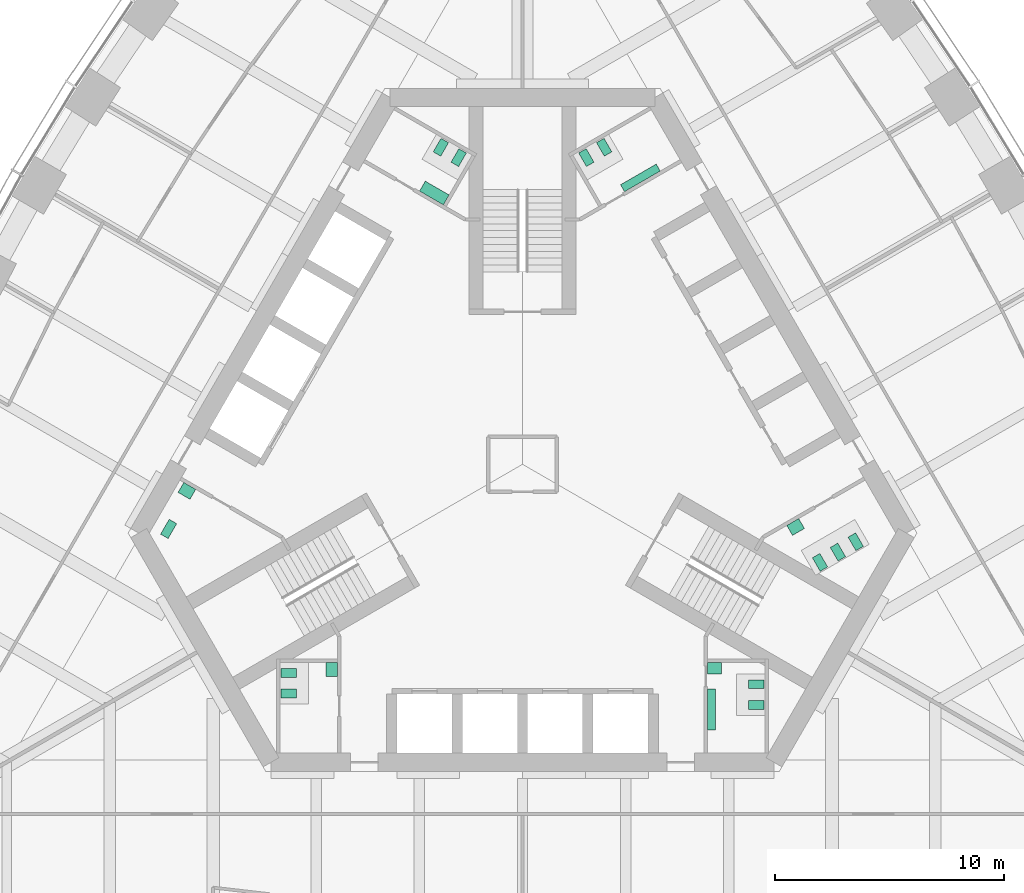
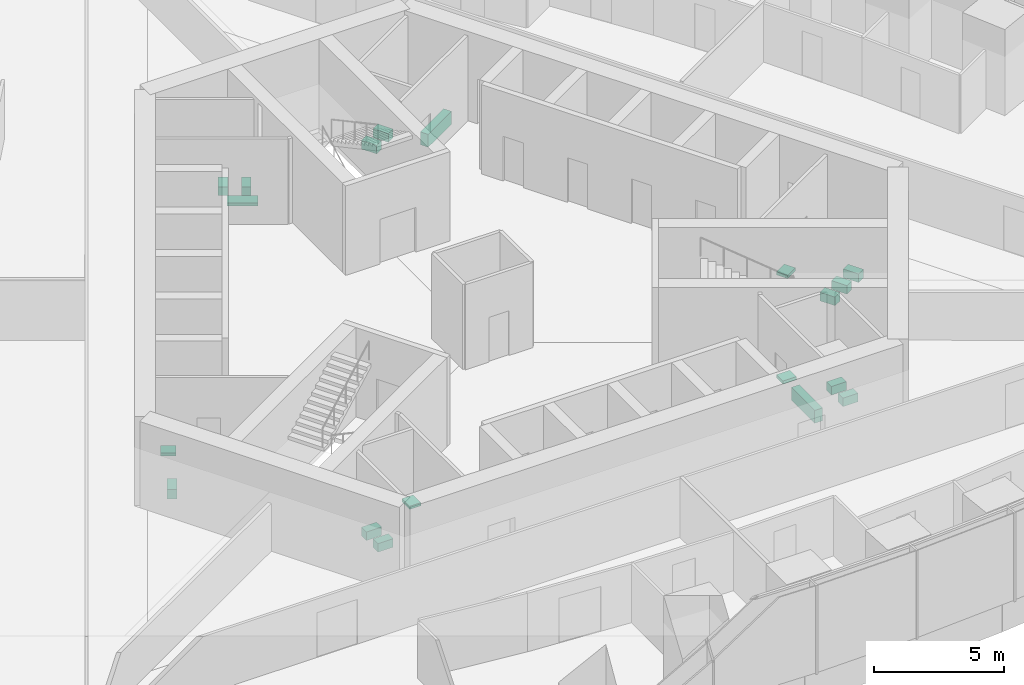
# One storey, part 18 of 19: 19 sanitary terminals.
"""IFC4 building model written with IfcOpenShell, lengths in metres."""

from ifc_helpers import new_model, si_unit, direction, frame, origin, place, context, subcontext, project, spatial, polyline, outline, extrude, material, type_object, element, save


model = new_model("IFC4")

# Units and contexts
model_context = context("Model", 3, precision=1e-05, world=origin(), true_north=direction((0.0, 1.0)))
body_context = subcontext(model_context, "Body", "Model", "MODEL_VIEW")
ifc_project = project(units=[si_unit("LENGTHUNIT", "METRE"), si_unit("AREAUNIT", "SQUARE_METRE"), si_unit("VOLUMEUNIT", "CUBIC_METRE"), si_unit("PLANEANGLEUNIT", "RADIAN"), si_unit("MASSUNIT", "GRAM", prefix="KILO")], contexts=[model_context])

# Site, building, storey
site_placement = place(None, origin())
site = spatial("IfcSite", under=ifc_project, at=site_placement, CompositionType="ELEMENT")
building_placement = place(site_placement, origin())
building = spatial("IfcBuilding", under=site, at=building_placement, Name="Trefoil Bronze Tower", CompositionType="ELEMENT")
storey_placement = place(building_placement, frame((0.0, 0.0, 193.89990234375)))
storey = spatial("IfcBuildingStorey", under=building, at=storey_placement, Name="L44", CompositionType="ELEMENT", Elevation=193.89990234375)

# Sanitary terminals
ifc_material_1 = material(Name="Vitreous china", Category="ceramic")
sanitary_terminal_type_1 = type_object("IfcSanitaryTerminalType", Name="Accessible WC pan", PredefinedType="TOILETPAN", material=ifc_material_1)
sanitary_terminal_1_placement = place(storey_placement, origin())
element("IfcSanitaryTerminal", 1, at=sanitary_terminal_1_placement, inside=storey, type_object=sanitary_terminal_type_1, Name="WC pan 1 Accessible WC L44", PredefinedType="TOILETPAN", context=body_context, shape_type="SweptSolid", body=[
    extrude(outline(polyline([(-15.085693359375, -2.589111328125), (-15.460693359375, -3.238525390625), (-15.789794921875, -3.048583984375), (-15.414794921875, -2.399169921875), (-15.085693359375, -2.589111328125)])), origin(), (0.0, 0.0, 1.0), 0.4501953125),
])
ifc_material_2 = material(Name="Vitreous china", Category="ceramic")
sanitary_terminal_type_2 = type_object("IfcSanitaryTerminalType", Name="Accessible basin", PredefinedType="WASHHANDBASIN", material=ifc_material_2)
sanitary_terminal_2_placement = place(storey_placement, frame((0.0, 0.0, 0.650146484375)))
element("IfcSanitaryTerminal", 2, at=sanitary_terminal_2_placement, inside=storey, type_object=sanitary_terminal_type_2, Name="Wash basin Accessible WC L44", PredefinedType="WASHHANDBASIN", context=body_context, shape_type="SweptSolid", body=[
    extrude(outline(polyline([(-14.256591796875, -1.09326171875), (-14.506591796875, -1.526123046875), (-15.026123046875, -1.22607421875), (-14.776123046875, -0.793212890625), (-14.256591796875, -1.09326171875)])), origin(), (0.0, 0.0, 1.0), 0.14990234375),
])
ifc_material_3 = material(Name="Vitreous china", Category="ceramic")
sanitary_terminal_type_3 = type_object("IfcSanitaryTerminalType", Name="Urinal range 3 urinals", PredefinedType="URINAL", material=ifc_material_3)
sanitary_terminal_3_placement = place(storey_placement, frame((0.0, 0.0, 0.400146484375)))
element("IfcSanitaryTerminal", 3, at=sanitary_terminal_3_placement, inside=storey, type_object=sanitary_terminal_type_3, Name="Urinal range WC (men) L44", PredefinedType="URINAL", context=body_context, shape_type="SweptSolid", body=[
    extrude(outline(polyline([(8.074951171875, -9.800048828125), (8.425048828125, -9.800048828125), (8.425048828125, -11.60009765625), (8.074951171875, -11.60009765625), (8.074951171875, -9.800048828125)])), origin(), (0.0, 0.0, 1.0), 0.599853515625),
])
sanitary_terminal_4_placement = place(storey_placement, frame((0.0, 0.0, 0.400146484375)))
element("IfcSanitaryTerminal", 4, at=sanitary_terminal_4_placement, inside=storey, type_object=sanitary_terminal_type_3, Name="Urinal range WC (men) L44", PredefinedType="URINAL", context=body_context, shape_type="SweptSolid", body=[
    extrude(outline(polyline([(4.449462890625, 11.89306640625), (4.274658203125, 12.1962890625), (5.83349609375, 13.09619140625), (6.00830078125, 12.793212890625), (4.449462890625, 11.89306640625)])), origin(), (0.0, 0.0, 1.0), 0.599853515625),
])
ifc_material_4 = material(Name="Solid surface vanity", Category="plastic")
sanitary_terminal_type_4 = type_object("IfcSanitaryTerminalType", Name="Vanity unit 1 basins", PredefinedType="WASHHANDBASIN", material=ifc_material_4)
sanitary_terminal_5_placement = place(storey_placement, frame((0.0, 0.0, 0.75)))
element("IfcSanitaryTerminal", 5, at=sanitary_terminal_5_placement, inside=storey, type_object=sanitary_terminal_type_4, Name="Vanity unit WC (men) L44", PredefinedType="WASHHANDBASIN", context=body_context, shape_type="SweptSolid", body=[
    extrude(outline(polyline([(8.074951171875, -8.64990234375), (8.675048828125, -8.64990234375), (8.675048828125, -9.14990234375), (8.074951171875, -9.14990234375), (8.074951171875, -8.64990234375)])), origin(), (0.0, 0.0, 1.0), 0.150146484375),
])
sanitary_terminal_6_placement = place(storey_placement, frame((0.0, 0.0, 0.75)))
element("IfcSanitaryTerminal", 6, at=sanitary_terminal_6_placement, inside=storey, type_object=sanitary_terminal_type_4, Name="Vanity unit WC (women) L44", PredefinedType="WASHHANDBASIN", context=body_context, shape_type="SweptSolid", body=[
    extrude(outline(polyline([(11.528564453125, -2.668212890625), (11.778564453125, -3.10107421875), (12.29833984375, -2.80126953125), (12.04833984375, -2.3681640625), (11.528564453125, -2.668212890625)])), origin(), (0.0, 0.0, 1.0), 0.150146484375),
])
sanitary_terminal_7_placement = place(storey_placement, frame((0.0, 0.0, 0.75)))
element("IfcSanitaryTerminal", 7, at=sanitary_terminal_7_placement, inside=storey, type_object=sanitary_terminal_type_4, Name="Vanity unit WC (women) L44", PredefinedType="WASHHANDBASIN", context=body_context, shape_type="SweptSolid", body=[
    extrude(outline(polyline([(-8.074951171875, -8.64990234375), (-8.574951171875, -8.64990234375), (-8.574951171875, -9.25), (-8.074951171875, -9.25), (-8.074951171875, -8.64990234375)])), origin(), (0.0, 0.0, 1.0), 0.150146484375),
])
ifc_material_5 = material(Name="Solid surface vanity", Category="plastic")
sanitary_terminal_type_5 = type_object("IfcSanitaryTerminalType", Name="Vanity unit 2 basins", PredefinedType="WASHHANDBASIN", material=ifc_material_5)
sanitary_terminal_8_placement = place(storey_placement, frame((0.0, 0.0, 0.75)))
element("IfcSanitaryTerminal", 8, at=sanitary_terminal_8_placement, inside=storey, type_object=sanitary_terminal_type_5, Name="Vanity unit WC (women) L44", PredefinedType="WASHHANDBASIN", context=body_context, shape_type="SweptSolid", body=[
    extrude(outline(polyline([(-3.45361328125, 11.318115234375), (-3.20361328125, 11.751220703125), (-4.242919921875, 12.35107421875), (-4.492919921875, 11.918212890625), (-3.45361328125, 11.318115234375)])), origin(), (0.0, 0.0, 1.0), 0.150146484375),
])
ifc_material_6 = material(Name="Vitreous china", Category="ceramic")
sanitary_terminal_type_6 = type_object("IfcSanitaryTerminalType", Name="WC pan", PredefinedType="TOILETPAN", material=ifc_material_6)
sanitary_terminal_9_placement = place(storey_placement, origin())
element("IfcSanitaryTerminal", 9, at=sanitary_terminal_9_placement, inside=storey, type_object=sanitary_terminal_type_6, Name="WC pan 1 WC (men) L44", PredefinedType="TOILETPAN", context=body_context, shape_type="SweptSolid", body=[
    extrude(outline(polyline([(9.85498046875, -9.409912109375), (10.534912109375, -9.409912109375), (10.534912109375, -9.7900390625), (9.85498046875, -9.7900390625), (9.85498046875, -9.409912109375)])), origin(), (0.0, 0.0, 1.0), 0.400146484375),
])
sanitary_terminal_10_placement = place(storey_placement, origin())
element("IfcSanitaryTerminal", 10, at=sanitary_terminal_10_placement, inside=storey, type_object=sanitary_terminal_type_6, Name="WC pan 2 WC (men) L44", PredefinedType="TOILETPAN", context=body_context, shape_type="SweptSolid", body=[
    extrude(outline(polyline([(9.85498046875, -10.31005859375), (10.534912109375, -10.31005859375), (10.534912109375, -10.68994140625), (9.85498046875, -10.68994140625), (9.85498046875, -10.31005859375)])), origin(), (0.0, 0.0, 1.0), 0.400146484375),
])
sanitary_terminal_11_placement = place(storey_placement, origin())
element("IfcSanitaryTerminal", 11, at=sanitary_terminal_11_placement, inside=storey, type_object=sanitary_terminal_type_6, Name="WC pan 1 WC (women) L44", PredefinedType="TOILETPAN", context=body_context, shape_type="SweptSolid", body=[
    extrude(outline(polyline([(12.643798828125, -4.07958984375), (12.98388671875, -4.66845703125), (13.31298828125, -4.478515625), (12.972900390625, -3.8896484375), (12.643798828125, -4.07958984375)])), origin(), (0.0, 0.0, 1.0), 0.400146484375),
])
sanitary_terminal_12_placement = place(storey_placement, origin())
element("IfcSanitaryTerminal", 12, at=sanitary_terminal_12_placement, inside=storey, type_object=sanitary_terminal_type_6, Name="WC pan 2 WC (women) L44", PredefinedType="TOILETPAN", context=body_context, shape_type="SweptSolid", body=[
    extrude(outline(polyline([(13.423095703125, -3.629638671875), (13.76318359375, -4.218505859375), (14.09228515625, -4.028564453125), (13.752197265625, -3.439697265625), (13.423095703125, -3.629638671875)])), origin(), (0.0, 0.0, 1.0), 0.400146484375),
])
sanitary_terminal_13_placement = place(storey_placement, origin())
element("IfcSanitaryTerminal", 13, at=sanitary_terminal_13_placement, inside=storey, type_object=sanitary_terminal_type_6, Name="WC pan 3 WC (women) L44", PredefinedType="TOILETPAN", context=body_context, shape_type="SweptSolid", body=[
    extrude(outline(polyline([(14.20263671875, -3.1796875), (14.542724609375, -3.7685546875), (14.871826171875, -3.57861328125), (14.53173828125, -2.98974609375), (14.20263671875, -3.1796875)])), origin(), (0.0, 0.0, 1.0), 0.400146484375),
])
sanitary_terminal_14_placement = place(storey_placement, origin())
element("IfcSanitaryTerminal", 14, at=sanitary_terminal_14_placement, inside=storey, type_object=sanitary_terminal_type_6, Name="WC pan 1 WC (men) L44", PredefinedType="TOILETPAN", context=body_context, shape_type="SweptSolid", body=[
    extrude(outline(polyline([(2.788818359375, 12.98974609375), (2.44873046875, 13.57861328125), (2.77783203125, 13.7685546875), (3.117919921875, 13.1796875), (2.788818359375, 12.98974609375)])), origin(), (0.0, 0.0, 1.0), 0.400146484375),
])
sanitary_terminal_15_placement = place(storey_placement, origin())
element("IfcSanitaryTerminal", 15, at=sanitary_terminal_15_placement, inside=storey, type_object=sanitary_terminal_type_6, Name="WC pan 2 WC (men) L44", PredefinedType="TOILETPAN", context=body_context, shape_type="SweptSolid", body=[
    extrude(outline(polyline([(3.568115234375, 13.439697265625), (3.228271484375, 14.028564453125), (3.557373046875, 14.218505859375), (3.897216796875, 13.629638671875), (3.568115234375, 13.439697265625)])), origin(), (0.0, 0.0, 1.0), 0.400146484375),
])
sanitary_terminal_16_placement = place(storey_placement, origin())
element("IfcSanitaryTerminal", 16, at=sanitary_terminal_16_placement, inside=storey, type_object=sanitary_terminal_type_6, Name="WC pan 1 WC (women) L44", PredefinedType="TOILETPAN", context=body_context, shape_type="SweptSolid", body=[
    extrude(outline(polyline([(-2.788818359375, 12.98974609375), (-2.44873046875, 13.57861328125), (-2.77783203125, 13.7685546875), (-3.117919921875, 13.1796875), (-2.788818359375, 12.98974609375)])), origin(), (0.0, 0.0, 1.0), 0.400146484375),
])
sanitary_terminal_17_placement = place(storey_placement, origin())
element("IfcSanitaryTerminal", 17, at=sanitary_terminal_17_placement, inside=storey, type_object=sanitary_terminal_type_6, Name="WC pan 2 WC (women) L44", PredefinedType="TOILETPAN", context=body_context, shape_type="SweptSolid", body=[
    extrude(outline(polyline([(-3.568115234375, 13.439697265625), (-3.228271484375, 14.028564453125), (-3.557373046875, 14.218505859375), (-3.897216796875, 13.629638671875), (-3.568115234375, 13.439697265625)])), origin(), (0.0, 0.0, 1.0), 0.400146484375),
])
sanitary_terminal_18_placement = place(storey_placement, origin())
element("IfcSanitaryTerminal", 18, at=sanitary_terminal_18_placement, inside=storey, type_object=sanitary_terminal_type_6, Name="WC pan 1 WC (women) L44", PredefinedType="TOILETPAN", context=body_context, shape_type="SweptSolid", body=[
    extrude(outline(polyline([(-9.85498046875, -8.909912109375), (-10.534912109375, -8.909912109375), (-10.534912109375, -9.2900390625), (-9.85498046875, -9.2900390625), (-9.85498046875, -8.909912109375)])), origin(), (0.0, 0.0, 1.0), 0.400146484375),
])
sanitary_terminal_19_placement = place(storey_placement, origin())
element("IfcSanitaryTerminal", 19, at=sanitary_terminal_19_placement, inside=storey, type_object=sanitary_terminal_type_6, Name="WC pan 2 WC (women) L44", PredefinedType="TOILETPAN", context=body_context, shape_type="SweptSolid", body=[
    extrude(outline(polyline([(-9.85498046875, -9.81005859375), (-10.534912109375, -9.81005859375), (-10.534912109375, -10.18994140625), (-9.85498046875, -10.18994140625), (-9.85498046875, -9.81005859375)])), origin(), (0.0, 0.0, 1.0), 0.400146484375),
])

save(model, "model.ifc")
